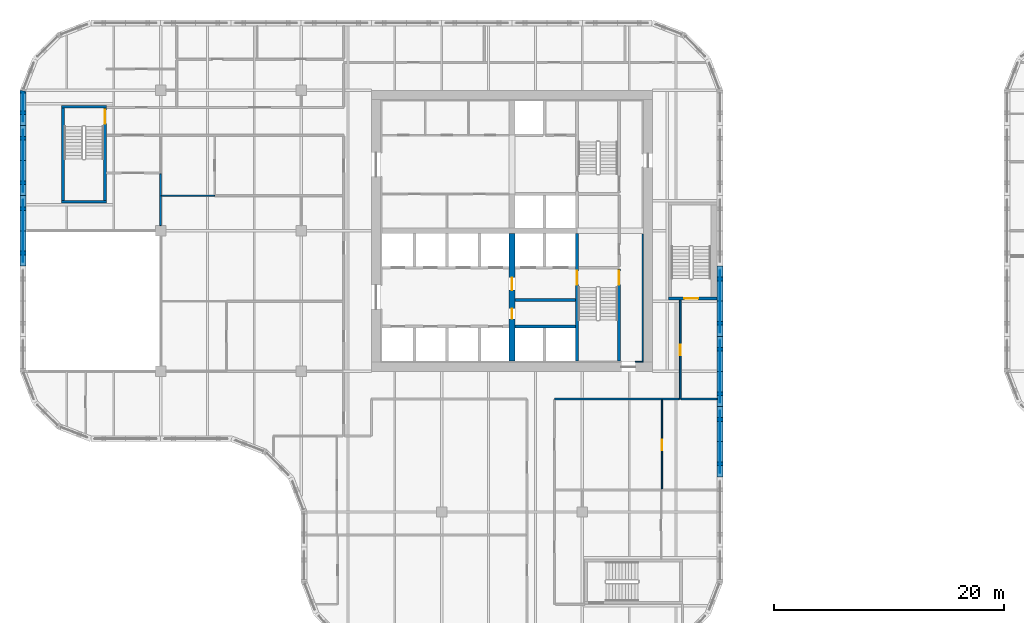
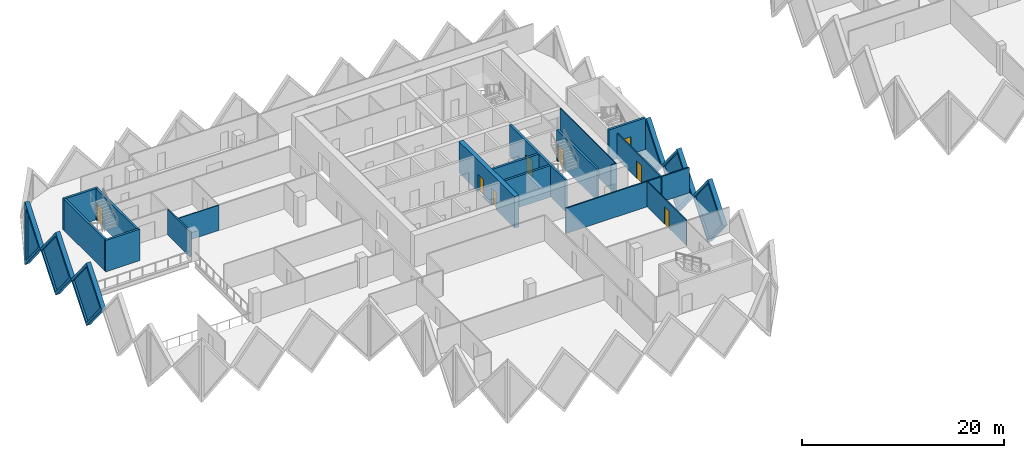
# One storey, part 7 of 19: 24 walls, 8 doors, 6 plates, 14 openings.
"""IFC4 building model written with IfcOpenShell, lengths in metres."""

from ifc_helpers import new_model, si_unit, direction, frame, frame_2d, origin, place, context, subcontext, project, spatial, polyline, rectangle, outline, extrude, faceted_brep, source, transform, mapped, material, layer, layer_set, type_object, element, fill, save


model = new_model("IFC4")

# Units and contexts
model_context = context("Model", 3, precision=1e-05, world=origin(), true_north=direction((0.0, 1.0)))
body_context = subcontext(model_context, "Body", "Model", "MODEL_VIEW")
ifc_project = project(units=[si_unit("LENGTHUNIT", "METRE"), si_unit("AREAUNIT", "SQUARE_METRE"), si_unit("VOLUMEUNIT", "CUBIC_METRE"), si_unit("PLANEANGLEUNIT", "RADIAN"), si_unit("MASSUNIT", "GRAM", prefix="KILO")], contexts=[model_context])

# Site, building, storey
site_placement = place(None, origin())
site = spatial("IfcSite", under=ifc_project, at=site_placement, CompositionType="ELEMENT")
building_placement = place(site_placement, origin())
building = spatial("IfcBuilding", under=site, at=building_placement, Name="Tessera Gate Towers", CompositionType="ELEMENT")
storey_placement = place(building_placement, frame((0.0, 0.0, 80.0)))
storey = spatial("IfcBuildingStorey", under=building, at=storey_placement, Name="L19", CompositionType="ELEMENT", Elevation=80.0)

# Wall, opening, door
ifc_material_1 = material(Name="Concrete C40/50", Category="concrete")
ifc_layer_1 = layer(ifc_material_1, 0.25)
ifc_layer_set_1 = layer_set([ifc_layer_1], Name="CORE ENCLOSURE WALL 250")
wall_type_1 = type_object("IfcWallType", Name="CORE ENCLOSURE WALL 250", PredefinedType="SOLIDWALL", material=ifc_layer_set_1)
wall_1_placement = place(storey_placement, frame((48.35009765625, 36.35009765625, 0.0), z_axis=(0.0, 0.0, 1.0), x_axis=(0.0, -1.0, 0.0)))
wall_1 = element("IfcWall", 1, at=wall_1_placement, inside=storey, type_object=wall_type_1, Name="L19 shaft and stair enclosure wall", PredefinedType="SOLIDWALL", context=body_context, shape_type="SweptSolid", body=[
    extrude(rectangle(XDim=11.050048828125, YDim=0.25, at=frame_2d((5.52490234375, 0.0))), origin(), (0.0, 0.0, 1.0), 3.800048828125),
])
shared_shape_1 = source(origin(), body_context, "Body", "SweptSolid", [
    extrude(rectangle(XDim=1.199951171875, YDim=2.10009765625, at=frame_2d((0.60009765625, 1.050048828125))), frame((0.0, 0.135009765625, 0.0), z_axis=(0.0, -1.0, 0.0), x_axis=(1.0, 0.0, 0.0)), (0.0, 0.0, 1.0), 0.27001953125),
])
opening_1_placement = place(wall_1_placement, frame((3.22509765625, 0.0, 0.0)))
opening_1 = element("IfcOpeningElement", 2, at=opening_1_placement, cuts=wall_1, Name="Opening SD-ST1-1", PredefinedType="OPENING", context=body_context, shape_type="MappedRepresentation", body=[
    mapped(shared_shape_1, transform((0.0, 0.0, 0.0), scale=1.0)),
])
ifc_material_2 = material(Name="Hollow steel fire door", Category="steel")
door_type_1 = type_object("IfcDoorType", Name="CORE DOOR SD 1200x2100", OperationType="NOTDEFINED", PredefinedType="DOOR", material=ifc_material_2)
shared_shape_2 = source(origin(), body_context, "Body", "SweptSolid", [
    extrude(rectangle(XDim=1.199951171875, YDim=2.10009765625, at=frame_2d((0.60009765625, 1.050048828125))), frame((0.0, 0.02490234375, 0.0), z_axis=(0.0, -1.0, 0.0), x_axis=(1.0, 0.0, 0.0)), (0.0, 0.0, 1.0), 0.050048828125),
])
door_1_placement = place(opening_1_placement, origin())
door_1 = element("IfcDoor", 3, at=door_1_placement, inside=storey, type_object=door_type_1, Name="Stair door", OperationType="SINGLE_SWING_LEFT", OverallHeight=2.10009765625, OverallWidth=1.199951171875, PredefinedType="DOOR", context=body_context, shape_type="MappedRepresentation", body=[
    mapped(shared_shape_2, transform((0.0, 0.0, 0.0), scale=1.0)),
])
fill(opening_1, door_1)

# Wall
wall_2_placement = place(storey_placement, frame((42.949951171875, 28.300048828125, 0.0), z_axis=(0.0, 0.0, 1.0), x_axis=(1.0, 0.0, 0.0)))
element("IfcWall", 4, at=wall_2_placement, inside=storey, type_object=wall_type_1, Name="L19 shaft and stair enclosure wall", PredefinedType="SOLIDWALL", context=body_context, shape_type="SweptSolid", body=[
    extrude(rectangle(XDim=5.275146484375, YDim=0.25, at=frame_2d((2.6376953125, 0.0))), origin(), (0.0, 0.0, 1.0), 3.800048828125),
])

# Wall, opening, door
wall_3_placement = place(storey_placement, frame((52.0, 25.300048828125, 0.0), z_axis=(0.0, 0.0, 1.0), x_axis=(0.0, 1.0, 0.0)))
wall_3 = element("IfcWall", 5, at=wall_3_placement, inside=storey, type_object=wall_type_1, Name="L19 shaft and stair enclosure wall", PredefinedType="SOLIDWALL", context=body_context, shape_type="SweptSolid", body=[
    extrude(rectangle(XDim=7.974853515625, YDim=0.25, at=frame_2d((3.9873046875, 0.0))), origin(), (0.0, 0.0, 1.0), 3.800048828125),
])
opening_2_placement = place(wall_3_placement, frame((6.625, 0.0, 0.0)))
opening_2 = element("IfcOpeningElement", 6, at=opening_2_placement, cuts=wall_3, Name="Opening SD-ST1-2", PredefinedType="OPENING", context=body_context, shape_type="MappedRepresentation", body=[
    mapped(shared_shape_1, transform((0.0, 0.0, 0.0), scale=1.0)),
])
door_2_placement = place(opening_2_placement, origin())
door_2 = element("IfcDoor", 7, at=door_2_placement, inside=storey, type_object=door_type_1, Name="Stair door", OperationType="SINGLE_SWING_RIGHT", OverallHeight=2.10009765625, OverallWidth=1.199951171875, PredefinedType="DOOR", context=body_context, shape_type="MappedRepresentation", body=[
    mapped(shared_shape_2, transform((0.0, 0.0, 0.0), scale=1.0)),
])
fill(opening_2, door_2)

# Walls
wall_4_placement = place(storey_placement, frame((42.949951171875, 30.60009765625, 0.0), z_axis=(0.0, 0.0, 1.0), x_axis=(1.0, 0.0, 0.0)))
element("IfcWall", 8, at=wall_4_placement, inside=storey, type_object=wall_type_1, Name="L19 shaft and stair enclosure wall", PredefinedType="SOLIDWALL", context=body_context, shape_type="SweptSolid", body=[
    extrude(rectangle(XDim=5.275146484375, YDim=0.25, at=frame_2d((2.6376953125, 0.0))), origin(), (0.0, 0.0, 1.0), 3.800048828125),
])
wall_5_placement = place(storey_placement, frame((7.5, 39.125, 0.0), z_axis=(0.0, 0.0, 1.0), x_axis=(-1.0, 0.0, 0.0)))
element("IfcWall", 9, at=wall_5_placement, inside=storey, type_object=wall_type_1, Name="L19 ST3 enclosure wall", PredefinedType="SOLIDWALL", context=body_context, shape_type="SweptSolid", body=[
    extrude(rectangle(XDim=3.89990234375, YDim=0.25, at=frame_2d((1.949951171875, 0.0))), origin(), (0.0, 0.0, 1.0), 3.800048828125),
])
wall_6_placement = place(storey_placement, frame((3.72509765625, 39.25, 0.0), z_axis=(0.0, 0.0, 1.0), x_axis=(0.0, 1.0, 0.0)))
element("IfcWall", 10, at=wall_6_placement, inside=storey, type_object=wall_type_1, Name="L19 ST3 enclosure wall", PredefinedType="SOLIDWALL", context=body_context, shape_type="SweptSolid", body=[
    extrude(rectangle(XDim=8.0, YDim=0.25, at=frame_2d((4.0, 0.0))), origin(), (0.0, 0.0, 1.0), 3.800048828125),
])
wall_7_placement = place(storey_placement, frame((3.60009765625, 47.375, 0.0), z_axis=(0.0, 0.0, 1.0), x_axis=(1.0, 0.0, 0.0)))
element("IfcWall", 11, at=wall_7_placement, inside=storey, type_object=wall_type_1, Name="L19 ST3 enclosure wall", PredefinedType="SOLIDWALL", context=body_context, shape_type="SweptSolid", body=[
    extrude(rectangle(XDim=3.89990234375, YDim=0.25, at=frame_2d((1.949951171875, 0.0))), origin(), (0.0, 0.0, 1.0), 3.800048828125),
])

# Wall, opening, door
wall_8_placement = place(storey_placement, frame((7.375, 47.25, 0.0), z_axis=(0.0, 0.0, 1.0), x_axis=(0.0, -1.0, 0.0)))
wall_8 = element("IfcWall", 12, at=wall_8_placement, inside=storey, type_object=wall_type_1, Name="L19 ST3 enclosure wall", PredefinedType="SOLIDWALL", context=body_context, shape_type="SweptSolid", body=[
    extrude(rectangle(XDim=8.0, YDim=0.25, at=frame_2d((4.0, 0.0))), origin(), (0.0, 0.0, 1.0), 3.800048828125),
])
opening_3_placement = place(wall_8_placement, frame((0.14990234375, 0.0, 0.0)))
opening_3 = element("IfcOpeningElement", 13, at=opening_3_placement, cuts=wall_8, Name="Opening SD-ST3-1", PredefinedType="OPENING", context=body_context, shape_type="MappedRepresentation", body=[
    mapped(shared_shape_1, transform((0.0, 0.0, 0.0), scale=1.0)),
])
door_3_placement = place(opening_3_placement, origin())
door_3 = element("IfcDoor", 14, at=door_3_placement, inside=storey, type_object=door_type_1, Name="Stair door", OperationType="SINGLE_SWING_LEFT", OverallHeight=2.10009765625, OverallWidth=1.199951171875, PredefinedType="DOOR", context=body_context, shape_type="MappedRepresentation", body=[
    mapped(shared_shape_2, transform((0.0, 0.0, 0.0), scale=1.0)),
])
fill(opening_3, door_3)

wall_9_placement = place(storey_placement, frame((60.5, 30.72509765625, 0.0), z_axis=(0.0, 0.0, 1.0), x_axis=(-1.0, 0.0, 0.0)))
wall_9 = element("IfcWall", 15, at=wall_9_placement, inside=storey, type_object=wall_type_1, Name="L19 ST5 enclosure wall", PredefinedType="SOLIDWALL", context=body_context, shape_type="SweptSolid", body=[
    extrude(rectangle(XDim=4.199951171875, YDim=0.25, at=frame_2d((2.10009765625, 0.0))), origin(), (0.0, 0.0, 1.0), 3.800048828125),
])
opening_4_placement = place(wall_9_placement, frame((1.64990234375, 0.0, 0.0)))
opening_4 = element("IfcOpeningElement", 16, at=opening_4_placement, cuts=wall_9, Name="Opening SD-ST5-1", PredefinedType="OPENING", context=body_context, shape_type="MappedRepresentation", body=[
    mapped(shared_shape_1, transform((0.0, 0.0, 0.0), scale=1.0)),
])
door_4_placement = place(opening_4_placement, origin())
door_4 = element("IfcDoor", 17, at=door_4_placement, inside=storey, type_object=door_type_1, Name="Stair door", OperationType="SINGLE_SWING_RIGHT", OverallHeight=2.10009765625, OverallWidth=1.199951171875, PredefinedType="DOOR", context=body_context, shape_type="MappedRepresentation", body=[
    mapped(shared_shape_2, transform((0.0, 0.0, 0.0), scale=1.0)),
])
fill(opening_4, door_4)

# Wall, openings, doors
ifc_material_3 = material(Name="Concrete C60/75", Category="concrete")
ifc_layer_2 = layer(ifc_material_3, 0.5)
ifc_layer_set_2 = layer_set([ifc_layer_2], Name="CORE SPINE WALL 500 C60/75")
wall_type_2 = type_object("IfcWallType", Name="CORE SPINE WALL 500 C60/75", PredefinedType="SHEAR", material=ifc_layer_set_2)
wall_10_placement = place(storey_placement, frame((42.699951171875, 36.35009765625, 0.0), z_axis=(0.0, 0.0, 1.0), x_axis=(0.0, -1.0, 0.0)))
wall_10 = element("IfcWall", 18, at=wall_10_placement, inside=storey, type_object=wall_type_2, Name="Core wall spine L19", PredefinedType="SHEAR", context=body_context, shape_type="SweptSolid", body=[
    extrude(rectangle(XDim=11.050048828125, YDim=0.5, at=frame_2d((5.52490234375, 0.0))), origin(), (0.0, 0.0, 1.0), 3.800048828125),
])
shared_shape_3 = source(origin(), body_context, "Body", "SweptSolid", [
    extrude(rectangle(XDim=0.89990234375, YDim=2.10009765625, at=frame_2d((0.449951171875, 1.050048828125))), frame((0.0, 0.260009765625, 0.0), z_axis=(0.0, -1.0, 0.0), x_axis=(1.0, 0.0, 0.0)), (0.0, 0.0, 1.0), 0.52001953125),
])
opening_5_placement = place(wall_10_placement, frame((6.5, 0.0, 0.0)))
opening_5 = element("IfcOpeningElement", 19, at=opening_5_placement, cuts=wall_10, Name="Opening RD-T1-14-05", PredefinedType="OPENING", context=body_context, shape_type="MappedRepresentation", body=[
    mapped(shared_shape_3, transform((0.0, 0.0, 0.0), scale=1.0)),
])
shared_shape_4 = source(origin(), body_context, "Body", "SweptSolid", [
    extrude(rectangle(XDim=1.10009765625, YDim=2.10009765625, at=frame_2d((0.550048828125, 1.050048828125))), frame((0.0, 0.260009765625, 0.0), z_axis=(0.0, -1.0, 0.0), x_axis=(1.0, 0.0, 0.0)), (0.0, 0.0, 1.0), 0.52001953125),
])
opening_6_placement = place(wall_10_placement, frame((3.800048828125, 0.0, 0.0)))
opening_6 = element("IfcOpeningElement", 20, at=opening_6_placement, cuts=wall_10, Name="Opening FD-T1-14-06", PredefinedType="OPENING", context=body_context, shape_type="MappedRepresentation", body=[
    mapped(shared_shape_4, transform((0.0, 0.0, 0.0), scale=1.0)),
])
ifc_material_4 = material(Name="Hollow steel fire door", Category="steel")
door_type_2 = type_object("IfcDoorType", Name="CORE DOOR RD 900x2100", OperationType="NOTDEFINED", PredefinedType="DOOR", material=ifc_material_4)
shared_shape_5 = source(origin(), body_context, "Body", "SweptSolid", [
    extrude(rectangle(XDim=0.89990234375, YDim=2.10009765625, at=frame_2d((0.449951171875, 1.050048828125))), frame((0.0, 0.02490234375, 0.0), z_axis=(0.0, -1.0, 0.0), x_axis=(1.0, 0.0, 0.0)), (0.0, 0.0, 1.0), 0.050048828125),
])
door_5_placement = place(opening_5_placement, origin())
door_5 = element("IfcDoor", 21, at=door_5_placement, inside=storey, type_object=door_type_2, Name="Core room door", OperationType="SINGLE_SWING_RIGHT", OverallHeight=2.10009765625, OverallWidth=0.89990234375, PredefinedType="DOOR", context=body_context, shape_type="MappedRepresentation", body=[
    mapped(shared_shape_5, transform((0.0, 0.0, 0.0), scale=1.0)),
])
fill(opening_5, door_5)
ifc_material_5 = material(Name="Hollow steel fire door", Category="steel")
door_type_3 = type_object("IfcDoorType", Name="CORE DOOR FD 1100x2100", OperationType="NOTDEFINED", PredefinedType="DOOR", material=ifc_material_5)
shared_shape_6 = source(origin(), body_context, "Body", "SweptSolid", [
    extrude(rectangle(XDim=1.10009765625, YDim=2.10009765625, at=frame_2d((0.550048828125, 1.050048828125))), frame((0.0, 0.02490234375, 0.0), z_axis=(0.0, -1.0, 0.0), x_axis=(1.0, 0.0, 0.0)), (0.0, 0.0, 1.0), 0.050048828125),
])
door_6_placement = place(opening_6_placement, origin())
door_6 = element("IfcDoor", 22, at=door_6_placement, inside=storey, type_object=door_type_3, Name="Fire-fighting lobby door", OperationType="SINGLE_SWING_LEFT", OverallHeight=2.10009765625, OverallWidth=1.10009765625, PredefinedType="DOOR", context=body_context, shape_type="MappedRepresentation", body=[
    mapped(shared_shape_6, transform((0.0, 0.0, 0.0), scale=1.0)),
])
fill(opening_6, door_6)

# Walls
ifc_material_6 = material(Name="Concrete C60/75", Category="concrete")
ifc_layer_3 = layer(ifc_material_6, 0.10009765625)
ifc_layer_set_3 = layer_set([ifc_layer_3], Name="CORE WALL THICKENING 100")
wall_type_3 = type_object("IfcWallType", Name="CORE WALL THICKENING 100", PredefinedType="SOLIDWALL", material=ifc_layer_set_3)
wall_11_placement = place(storey_placement, frame((53.39990234375, 25.25, 0.0), z_axis=(0.0, 0.0, 1.0), x_axis=(1.0, 0.0, 0.0)))
element("IfcWall", 23, at=wall_11_placement, inside=storey, type_object=wall_type_3, Name="Core wall thickening S L19", PredefinedType="SOLIDWALL", context=body_context, shape_type="SweptSolid", body=[
    extrude(rectangle(XDim=0.7001953125, YDim=0.10009765625, at=frame_2d((0.35009765625, 0.0))), origin(), (0.0, 0.0, 1.0), 3.800048828125),
])
wall_12_placement = place(storey_placement, frame((54.050048828125, 25.300048828125, 0.0), z_axis=(0.0, 0.0, 1.0), x_axis=(0.0, 1.0, 0.0)))
element("IfcWall", 24, at=wall_12_placement, inside=storey, type_object=wall_type_3, Name="Core wall thickening E L19", PredefinedType="SOLIDWALL", context=body_context, shape_type="SweptSolid", body=[
    extrude(rectangle(XDim=11.02001953125, YDim=0.10009765625, at=frame_2d((5.510009765625, 0.0))), origin(), (0.0, 0.0, 1.0), 3.800048828125),
])
ifc_material_7 = material(Name="Gypsum board on steel studs, mineral wool", Category="steel")
ifc_layer_4 = layer(ifc_material_7, 0.14990234375)
ifc_layer_set_4 = layer_set([ifc_layer_4], Name="CORRIDOR WALL 150")
wall_type_4 = type_object("IfcWallType", Name="CORRIDOR WALL 150", PredefinedType="PARTITIONING", material=ifc_layer_set_4)
wall_13_placement = place(storey_placement, frame((46.39990234375, 22.0, 0.0), z_axis=(0.0, 0.0, 1.0), x_axis=(1.0, 0.0, 0.0)))
element("IfcWall", 25, at=wall_13_placement, inside=storey, type_object=wall_type_4, Name="T1-L19-PW-023", PredefinedType="PARTITIONING", context=body_context, shape_type="SweptSolid", body=[
    extrude(rectangle(XDim=10.82421875, YDim=0.14990234375, at=frame_2d((5.412109375, 0.0))), origin(), (0.0, 0.0, 1.0), 3.06689453125),
])

# Wall, opening, door
wall_14_placement = place(storey_placement, frame((57.300048828125, 30.60009765625, 0.0), z_axis=(0.0, 0.0, 1.0), x_axis=(0.0, -1.0, 0.0)))
wall_14 = element("IfcWall", 26, at=wall_14_placement, inside=storey, type_object=wall_type_4, Name="T1-L19-PW-024", PredefinedType="PARTITIONING", context=body_context, shape_type="SweptSolid", body=[
    extrude(rectangle(XDim=8.60009765625, YDim=0.14990234375, at=frame_2d((4.300048828125, 0.0))), origin(), (0.0, 0.0, 1.0), 3.06689453125),
])
shared_shape_7 = source(origin(), body_context, "Body", "SweptSolid", [
    extrude(rectangle(XDim=0.89990234375, YDim=2.10009765625, at=frame_2d((0.449951171875, 1.050048828125))), frame((0.0, 0.0849609375, 0.0), z_axis=(0.0, -1.0, 0.0), x_axis=(1.0, 0.0, 0.0)), (0.0, 0.0, 1.0), 0.169921875),
])
opening_7_placement = place(wall_14_placement, frame((3.89990234375, 0.0, 0.0)))
opening_7 = element("IfcOpeningElement", 27, at=opening_7_placement, cuts=wall_14, Name="Opening D890FD60-A07-07", PredefinedType="OPENING", context=body_context, shape_type="MappedRepresentation", body=[
    mapped(shared_shape_7, transform((0.0, 0.0, 0.0), scale=1.0)),
])
ifc_material_8 = material(Name="Timber door leaf in steel frame", Category="steel")
door_type_4 = type_object("IfcDoorType", Name="CORRIDOR DOOR 900 FD60", OperationType="NOTDEFINED", PredefinedType="DOOR", material=ifc_material_8)
door_7_placement = place(opening_7_placement, origin())
door_7 = element("IfcDoor", 28, at=door_7_placement, inside=storey, type_object=door_type_4, Name="T1-L19-PD-020", OperationType="SINGLE_SWING_RIGHT", OverallHeight=2.10009765625, OverallWidth=0.89990234375, PredefinedType="DOOR", context=body_context, shape_type="MappedRepresentation", body=[
    mapped(shared_shape_5, transform((0.0, 0.0, 0.0), scale=1.0)),
])
fill(opening_7, door_7)

ifc_material_9 = material(Name="Glass", Category="glass")
ifc_layer_5 = layer(ifc_material_9, 0.10009765625)
ifc_layer_set_5 = layer_set([ifc_layer_5], Name="GLAZED PARTITION 100")
wall_type_5 = type_object("IfcWallType", Name="GLAZED PARTITION 100", PredefinedType="PARTITIONING", material=ifc_layer_set_5)
wall_15_placement = place(storey_placement, frame((55.715087890625, 21.924072265625, 0.0), z_axis=(0.0, 0.0, 1.0), x_axis=(0.0, -1.0, 0.0)))
wall_15 = element("IfcWall", 29, at=wall_15_placement, inside=storey, type_object=wall_type_5, Name="T1-L19-PW-014", PredefinedType="PARTITIONING", context=body_context, shape_type="SweptSolid", body=[
    extrude(rectangle(XDim=7.748046875, YDim=0.10009765625, at=frame_2d((3.8740234375, 0.0))), origin(), (0.0, 0.0, 1.0), 3.06689453125),
])
shared_shape_8 = source(origin(), body_context, "Body", "SweptSolid", [
    extrude(rectangle(XDim=0.89990234375, YDim=2.10009765625, at=frame_2d((0.449951171875, 1.050048828125))), frame((0.0, 0.06005859375, 0.0), z_axis=(0.0, -1.0, 0.0), x_axis=(1.0, 0.0, 0.0)), (0.0, 0.0, 1.0), 0.1201171875),
])
opening_8_placement = place(wall_15_placement, frame((3.447998046875, 0.0, 0.0)))
opening_8 = element("IfcOpeningElement", 30, at=opening_8_placement, cuts=wall_15, Name="Opening D690-A07-06", PredefinedType="OPENING", context=body_context, shape_type="MappedRepresentation", body=[
    mapped(shared_shape_8, transform((0.0, 0.0, 0.0), scale=1.0)),
])
ifc_material_10 = material(Name="Glass in aluminium frame", Category="aluminium")
door_type_5 = type_object("IfcDoorType", Name="GLAZED DOOR 900 NOT RATED", OperationType="NOTDEFINED", PredefinedType="DOOR", material=ifc_material_10)
door_8_placement = place(opening_8_placement, origin())
door_8 = element("IfcDoor", 31, at=door_8_placement, inside=storey, type_object=door_type_5, Name="T1-L19-PD-016", OperationType="SINGLE_SWING_RIGHT", OverallHeight=2.10009765625, OverallWidth=0.89990234375, PredefinedType="DOOR", context=body_context, shape_type="MappedRepresentation", body=[
    mapped(shared_shape_5, transform((0.0, 0.0, 0.0), scale=1.0)),
])
fill(opening_8, door_8)

# Walls
wall_16_placement = place(storey_placement, frame((12.27587890625, 39.64990234375, 0.0), z_axis=(0.0, 0.0, 1.0), x_axis=(1.0, 0.0, 0.0)))
element("IfcWall", 32, at=wall_16_placement, inside=storey, type_object=wall_type_5, Name="T1-L19-PW-034", PredefinedType="PARTITIONING", context=body_context, shape_type="SweptSolid", body=[
    extrude(rectangle(XDim=4.623046875, YDim=0.10009765625, at=frame_2d((2.3115234375, 0.0))), origin(), (0.0, 0.0, 1.0), 3.06689453125),
])
ifc_material_11 = material(Name="Gypsum board on steel studs, mineral wool", Category="steel")
ifc_layer_6 = layer(ifc_material_11, 0.14990234375)
ifc_layer_set_6 = layer_set([ifc_layer_6], Name="TENANCY WALL 150")
wall_type_6 = type_object("IfcWallType", Name="TENANCY WALL 150", PredefinedType="PARTITIONING", material=ifc_layer_set_6)
wall_17_placement = place(storey_placement, frame((57.3759765625, 22.0, 0.0), z_axis=(0.0, 0.0, 1.0), x_axis=(1.0, 0.0, 0.0)))
element("IfcWall", 33, at=wall_17_placement, inside=storey, type_object=wall_type_6, Name="T1-L19-PW-025", PredefinedType="PARTITIONING", context=body_context, shape_type="SweptSolid", body=[
    extrude(rectangle(XDim=3.1240234375, YDim=0.14990234375, at=frame_2d((1.56201171875, 0.0))), origin(), (0.0, 0.0, 1.0), 3.06689453125),
])
wall_18_placement = place(storey_placement, frame((12.199951171875, 37.051025390625, 0.0), z_axis=(0.0, 0.0, 1.0), x_axis=(0.0, 1.0, 0.0)))
element("IfcWall", 34, at=wall_18_placement, inside=storey, type_object=wall_type_6, Name="T1-L19-PW-032", PredefinedType="PARTITIONING", context=body_context, shape_type="SweptSolid", body=[
    extrude(rectangle(XDim=4.498046875, YDim=0.14990234375, at=frame_2d((2.2490234375, 0.0))), origin(), (0.0, 0.0, 1.0), 3.06689453125),
])

# Wall, opening, plate
ifc_material_12 = material(Name="Precast concrete C60/75 white", Category="concrete")
ifc_layer_7 = layer(ifc_material_12, 0.5)
ifc_layer_set_7 = layer_set([ifc_layer_7], Name="TS1 tessera")
wall_type_7 = type_object("IfcWallType", Name="TS1 tessera", PredefinedType="SOLIDWALL", material=ifc_layer_set_7)
shared_shape_9 = source(origin(), body_context, "Body", "Brep", [
    faceted_brep([(3.050048828125, -0.25, 0.0), (6.099853515625, -0.25, 3.7998046875), (6.099853515625, -0.25, 3.80029296875), (3.050048828125, -0.25, 7.60009765625), (0.0, -0.25, 3.800048828125), (0.0, 0.25, 3.800048828125), (3.050048828125, 0.25, 7.60009765625), (6.099853515625, 0.25, 3.80029296875), (6.099853515625, 0.25, 3.7998046875), (3.050048828125, 0.25, 0.0)], [[[0, 1, 2, 3, 4]], [[5, 6, 7, 8, 9]], [[9, 8, 1, 0]], [[7, 6, 3, 2]], [[6, 5, 4, 3]], [[5, 9, 0, 4]], [[1, 8, 7, 2]]]),
])
wall_19_placement = place(storey_placement, frame((60.75, 21.35009765625, -3.800048828125), z_axis=(0.0, 0.0, 1.0), x_axis=(0.0, 1.0, 0.0)))
wall_19 = element("IfcWall", 35, at=wall_19_placement, inside=storey, type_object=wall_type_7, Name="Precast tessera T1 TS1-0282", PredefinedType="SOLIDWALL", context=body_context, shape_type="MappedRepresentation", body=[
    mapped(shared_shape_9, transform((0.0, 0.0, 0.0), scale=1.0)),
])
shared_shape_10 = source(origin(), body_context, "Body", "SweptSolid", [
    extrude(outline(polyline([(3.050048828125, 0.3994140625), (5.779541015625, 3.800048828125), (3.050048828125, 7.20068359375), (0.320556640625, 3.800048828125), (3.050048828125, 0.3994140625)])), frame((0.0, 0.260009765625, 0.0), z_axis=(0.0, -1.0, 0.0), x_axis=(1.0, 0.0, 0.0)), (0.0, 0.0, 1.0), 0.52001953125),
])
opening_9_placement = place(wall_19_placement, origin())
opening_9 = element("IfcOpeningElement", 36, at=opening_9_placement, cuts=wall_19, Name="Opening T1-PL2-0574", PredefinedType="OPENING", context=body_context, shape_type="MappedRepresentation", body=[
    mapped(shared_shape_10, transform((0.0, 0.0, 0.0), scale=1.0)),
])
ifc_material_13 = material(Name="Low-e laminated glass", Category="glass")
ifc_layer_8 = layer(ifc_material_13, 0.06005859375)
ifc_layer_set_8 = layer_set([ifc_layer_8], Name="PL2 rhombic pane")
plate_type = type_object("IfcPlateType", Name="PL2 rhombic pane", PredefinedType="SHEET", material=ifc_layer_set_8)
shared_shape_11 = source(origin(), body_context, "Body", "SweptSolid", [
    extrude(outline(polyline([(3.050048828125, 0.3994140625), (5.779541015625, 3.800048828125), (3.050048828125, 7.20068359375), (0.320556640625, 3.800048828125), (3.050048828125, 0.3994140625)])), frame((0.0, 0.030029296875, 0.0), z_axis=(0.0, -1.0, 0.0), x_axis=(1.0, 0.0, 0.0)), (0.0, 0.0, 1.0), 0.06005859375),
])
plate_1_placement = place(opening_9_placement, origin())
plate_1 = element("IfcPlate", 37, at=plate_1_placement, inside=storey, type_object=plate_type, Name="Glass pane T1 PL2-0574", PredefinedType="SHEET", context=body_context, shape_type="MappedRepresentation", body=[
    mapped(shared_shape_11, transform((0.0, 0.0, 0.0), scale=1.0)),
])
fill(opening_9, plate_1)

wall_20_placement = place(storey_placement, frame((0.25, 39.64990234375, -3.800048828125), z_axis=(0.0, 0.0, 1.0), x_axis=(0.0, -1.0, 0.0)))
wall_20 = element("IfcWall", 38, at=wall_20_placement, inside=storey, type_object=wall_type_7, Name="Precast tessera T1 TS1-0295", PredefinedType="SOLIDWALL", context=body_context, shape_type="MappedRepresentation", body=[
    mapped(shared_shape_9, transform((0.0, 0.0, 0.0), scale=1.0)),
])
opening_10_placement = place(wall_20_placement, origin())
opening_10 = element("IfcOpeningElement", 39, at=opening_10_placement, cuts=wall_20, Name="Opening T1-PL2-0595", PredefinedType="OPENING", context=body_context, shape_type="MappedRepresentation", body=[
    mapped(shared_shape_10, transform((0.0, 0.0, 0.0), scale=1.0)),
])
plate_2_placement = place(opening_10_placement, origin())
plate_2 = element("IfcPlate", 40, at=plate_2_placement, inside=storey, type_object=plate_type, Name="Glass pane T1 PL2-0595", PredefinedType="SHEET", context=body_context, shape_type="MappedRepresentation", body=[
    mapped(shared_shape_11, transform((0.0, 0.0, 0.0), scale=1.0)),
])
fill(opening_10, plate_2)

shared_shape_12 = source(origin(), body_context, "Body", "SweptSolid", [
    extrude(outline(polyline([(3.050048828125, 0.0), (6.10009765625, 3.800048828125), (3.050048828125, 7.60009765625), (0.0, 3.800048828125), (3.050048828125, 0.0)])), frame((0.0, 0.25, 0.0), z_axis=(0.0, -1.0, 0.0), x_axis=(1.0, 0.0, 0.0)), (0.0, 0.0, 1.0), 0.5),
])
wall_21_placement = place(storey_placement, frame((60.75, 15.25, -3.800048828125), z_axis=(0.0, 0.0, 1.0), x_axis=(0.0, 1.0, 0.0)))
wall_21 = element("IfcWall", 41, at=wall_21_placement, inside=storey, type_object=wall_type_7, Name="Precast tessera T1 TS1-0281", PredefinedType="SOLIDWALL", context=body_context, shape_type="MappedRepresentation", body=[
    mapped(shared_shape_12, transform((0.0, 0.0, 0.0), scale=1.0)),
])
opening_11_placement = place(wall_21_placement, origin())
opening_11 = element("IfcOpeningElement", 42, at=opening_11_placement, cuts=wall_21, Name="Opening T1-PL2-0573", PredefinedType="OPENING", context=body_context, shape_type="MappedRepresentation", body=[
    mapped(shared_shape_10, transform((0.0, 0.0, 0.0), scale=1.0)),
])
plate_3_placement = place(opening_11_placement, origin())
plate_3 = element("IfcPlate", 43, at=plate_3_placement, inside=storey, type_object=plate_type, Name="Glass pane T1 PL2-0573", PredefinedType="SHEET", context=body_context, shape_type="MappedRepresentation", body=[
    mapped(shared_shape_11, transform((0.0, 0.0, 0.0), scale=1.0)),
])
fill(opening_11, plate_3)

wall_22_placement = place(storey_placement, frame((60.75, 27.449951171875, -3.800048828125), z_axis=(0.0, 0.0, 1.0), x_axis=(0.0, 1.0, 0.0)))
wall_22 = element("IfcWall", 44, at=wall_22_placement, inside=storey, type_object=wall_type_7, Name="Precast tessera T1 TS1-0283", PredefinedType="SOLIDWALL", context=body_context, shape_type="MappedRepresentation", body=[
    mapped(shared_shape_12, transform((0.0, 0.0, 0.0), scale=1.0)),
])
opening_12_placement = place(wall_22_placement, origin())
opening_12 = element("IfcOpeningElement", 45, at=opening_12_placement, cuts=wall_22, Name="Opening T1-PL2-0575", PredefinedType="OPENING", context=body_context, shape_type="MappedRepresentation", body=[
    mapped(shared_shape_10, transform((0.0, 0.0, 0.0), scale=1.0)),
])
plate_4_placement = place(opening_12_placement, origin())
plate_4 = element("IfcPlate", 46, at=plate_4_placement, inside=storey, type_object=plate_type, Name="Glass pane T1 PL2-0575", PredefinedType="SHEET", context=body_context, shape_type="MappedRepresentation", body=[
    mapped(shared_shape_11, transform((0.0, 0.0, 0.0), scale=1.0)),
])
fill(opening_12, plate_4)

wall_23_placement = place(storey_placement, frame((0.25, 45.75, -3.800048828125), z_axis=(0.0, 0.0, 1.0), x_axis=(0.0, -1.0, 0.0)))
wall_23 = element("IfcWall", 47, at=wall_23_placement, inside=storey, type_object=wall_type_7, Name="Precast tessera T1 TS1-0294", PredefinedType="SOLIDWALL", context=body_context, shape_type="MappedRepresentation", body=[
    mapped(shared_shape_12, transform((0.0, 0.0, 0.0), scale=1.0)),
])
opening_13_placement = place(wall_23_placement, origin())
opening_13 = element("IfcOpeningElement", 48, at=opening_13_placement, cuts=wall_23, Name="Opening T1-PL2-0594", PredefinedType="OPENING", context=body_context, shape_type="MappedRepresentation", body=[
    mapped(shared_shape_10, transform((0.0, 0.0, 0.0), scale=1.0)),
])
plate_5_placement = place(opening_13_placement, origin())
plate_5 = element("IfcPlate", 49, at=plate_5_placement, inside=storey, type_object=plate_type, Name="Glass pane T1 PL2-0594", PredefinedType="SHEET", context=body_context, shape_type="MappedRepresentation", body=[
    mapped(shared_shape_11, transform((0.0, 0.0, 0.0), scale=1.0)),
])
fill(opening_13, plate_5)

ifc_material_14 = material(Name="Precast concrete C60/75 white", Category="concrete")
ifc_layer_9 = layer(ifc_material_14, 0.5)
ifc_layer_set_9 = layer_set([ifc_layer_9], Name="TS3 corner tessera")
wall_type_8 = type_object("IfcWallType", Name="TS3 corner tessera", PredefinedType="SOLIDWALL", material=ifc_layer_set_9)
shared_shape_13 = source(origin(), body_context, "Body", "Brep", [
    faceted_brep([(0.046630859375, -0.25, 0.0), (3.050048828125, -0.25, 3.800048828125), (0.046630859375, -0.25, 7.60009765625), (0.0, -0.25, 7.5400390625), (0.0, -0.25, 0.06005859375), (0.09326171875, 0.25, 7.541259765625), (3.050048828125, 0.25, 3.800048828125), (0.09326171875, 0.25, 0.058837890625), (0.046630859375, 0.0, 0.0), (0.046630859375, 0.0, 7.60009765625)], [[[0, 1, 2, 3, 4]], [[5, 6, 7]], [[7, 6, 1, 0, 8]], [[6, 5, 9, 2, 1]], [[3, 2, 9]], [[8, 0, 4]], [[7, 8, 4, 3, 9, 5]]]),
])
wall_24_placement = place(storey_placement, frame((0.25, 48.800048828125, -3.800048828125), z_axis=(0.0, 0.0, 1.0), x_axis=(0.0, -1.0, 0.0)))
wall_24 = element("IfcWall", 50, at=wall_24_placement, inside=storey, type_object=wall_type_8, Name="Precast corner tessera T1 TS3-0420", PredefinedType="SOLIDWALL", context=body_context, shape_type="MappedRepresentation", body=[
    mapped(shared_shape_13, transform((0.0, 0.0, 0.0), scale=1.0)),
])
shared_shape_14 = source(origin(), body_context, "Body", "SweptSolid", [
    extrude(outline(polyline([(0.24658203125, 0.65625), (2.7314453125, 3.800048828125), (0.24658203125, 6.94384765625), (0.24658203125, 0.65625)])), frame((0.0, 0.260009765625, 0.0), z_axis=(0.0, -1.0, 0.0), x_axis=(1.0, 0.0, 0.0)), (0.0, 0.0, 1.0), 0.52001953125),
])
opening_14_placement = place(wall_24_placement, origin())
opening_14 = element("IfcOpeningElement", 51, at=opening_14_placement, cuts=wall_24, Name="Opening T1-PL2-0593", PredefinedType="OPENING", context=body_context, shape_type="MappedRepresentation", body=[
    mapped(shared_shape_14, transform((0.0, 0.0, 0.0), scale=1.0)),
])
shared_shape_15 = source(origin(), body_context, "Body", "SweptSolid", [
    extrude(outline(polyline([(0.24658203125, 0.65625), (2.7314453125, 3.800048828125), (0.24658203125, 6.94384765625), (0.24658203125, 0.65625)])), frame((0.0, 0.030029296875, 0.0), z_axis=(0.0, -1.0, 0.0), x_axis=(1.0, 0.0, 0.0)), (0.0, 0.0, 1.0), 0.06005859375),
])
plate_6_placement = place(opening_14_placement, origin())
plate_6 = element("IfcPlate", 52, at=plate_6_placement, inside=storey, type_object=plate_type, Name="Glass pane T1 PL2-0593", PredefinedType="SHEET", context=body_context, shape_type="MappedRepresentation", body=[
    mapped(shared_shape_15, transform((0.0, 0.0, 0.0), scale=1.0)),
])
fill(opening_14, plate_6)

save(model, "model.ifc")
